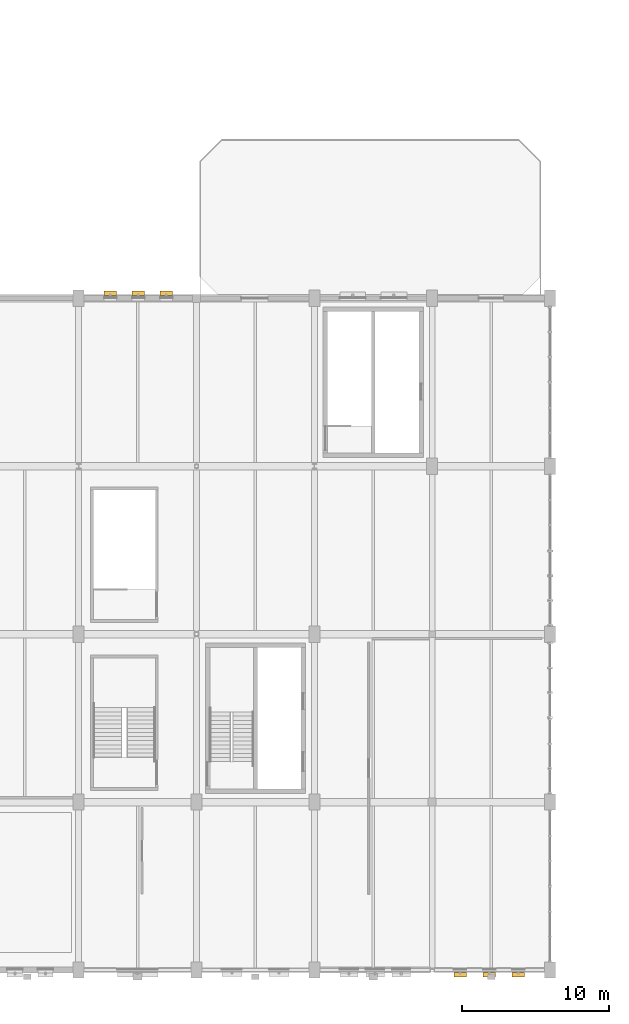
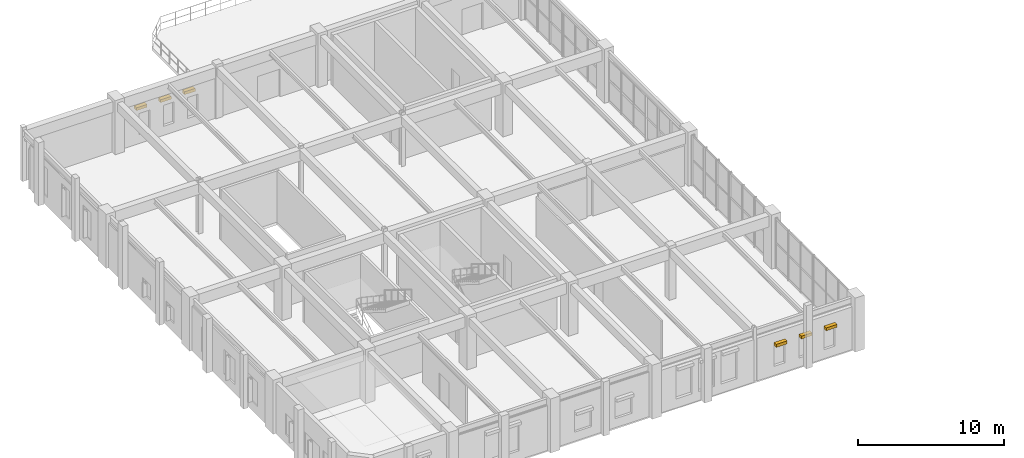
# One storey, part 48 of 48: 6 shading devices.
"""IFC4 building model written with IfcOpenShell, lengths in metres."""

from ifc_helpers import new_model, si_unit, direction, frame, origin, origin_2d, place, context, subcontext, project, spatial, rectangle, extrude, material, type_object, element, save


model = new_model("IFC4")

# Units and contexts
model_context = context("Model", 3, precision=1e-05, world=origin(), true_north=direction((0.0, 1.0)))
body_context = subcontext(model_context, "Body", "Model", "MODEL_VIEW")
ifc_project = project(units=[si_unit("LENGTHUNIT", "METRE"), si_unit("AREAUNIT", "SQUARE_METRE"), si_unit("VOLUMEUNIT", "CUBIC_METRE"), si_unit("PLANEANGLEUNIT", "RADIAN"), si_unit("MASSUNIT", "GRAM", prefix="KILO"), si_unit("POWERUNIT", "WATT"), si_unit("THERMODYNAMICTEMPERATUREUNIT", "KELVIN")], contexts=[model_context])

# Site, building, storey
site_placement = place(None, origin())
site = spatial("IfcSite", under=ifc_project, at=site_placement, CompositionType="ELEMENT")
building_placement = place(site_placement, origin())
building = spatial("IfcBuilding", under=site, at=building_placement, Name="Kelmbourne Parkland Aquatics Centre", CompositionType="ELEMENT")
storey_placement = place(building_placement, frame((0.0, 0.0, 14.699951171875)))
storey = spatial("IfcBuildingStorey", under=building, at=storey_placement, Name="L03", CompositionType="ELEMENT", Elevation=14.699951171875)

# Shading devices
ifc_material = material(Name="Architectural extruded terracotta baguettes", Category="masonry")
shading_device_type = type_object("IfcShadingDeviceType", Name="SHD-JAL-1", PredefinedType="JALOUSIE", material=ifc_material)
for number, where, z_axis, x_axis, name in (
    (1, (33.902099609375, 0.485107421875, 2.5), (0.0, 0.0, 1.0), (1.0, 0.0, 0.0), "Terracotta horizontal jalousie hood 184"),
    (2, (35.875, 0.485107421875, 2.5), (0.0, 0.0, 1.0), (1.0, 0.0, 0.0), "Terracotta horizontal jalousie hood 185"),
    (3, (37.847900390625, 0.485107421875, 2.5), (0.0, 0.0, 1.0), (1.0, 0.0, 0.0), "Terracotta horizontal jalousie hood 186"),
    (4, (10.152099609375, 46.735107421875, 2.5), (0.0, 0.0, 1.0), (1.0, 0.0, 0.0), "Terracotta horizontal jalousie hood 187"),
    (5, (12.050048828125, 46.735107421875, 2.5), (0.0, 0.0, 1.0), (1.0, 0.0, 0.0), "Terracotta horizontal jalousie hood 188"),
    (6, (13.947998046875, 46.735107421875, 2.5), (0.0, 0.0, 1.0), (1.0, 0.0, 0.0), "Terracotta horizontal jalousie hood 189"),
):
    element("IfcShadingDevice", number, at=place(storey_placement, frame(where, z_axis=z_axis, x_axis=x_axis)), inside=storey, type_object=shading_device_type, Name=name, PredefinedType="JALOUSIE", context=body_context, shape_type="SweptSolid", body=[
        extrude(rectangle(XDim=0.85009765625, YDim=0.300048828125, at=origin_2d()), origin(), (0.0, 0.0, 1.0), 0.239990234375),
    ])

save(model, "model.ifc")
